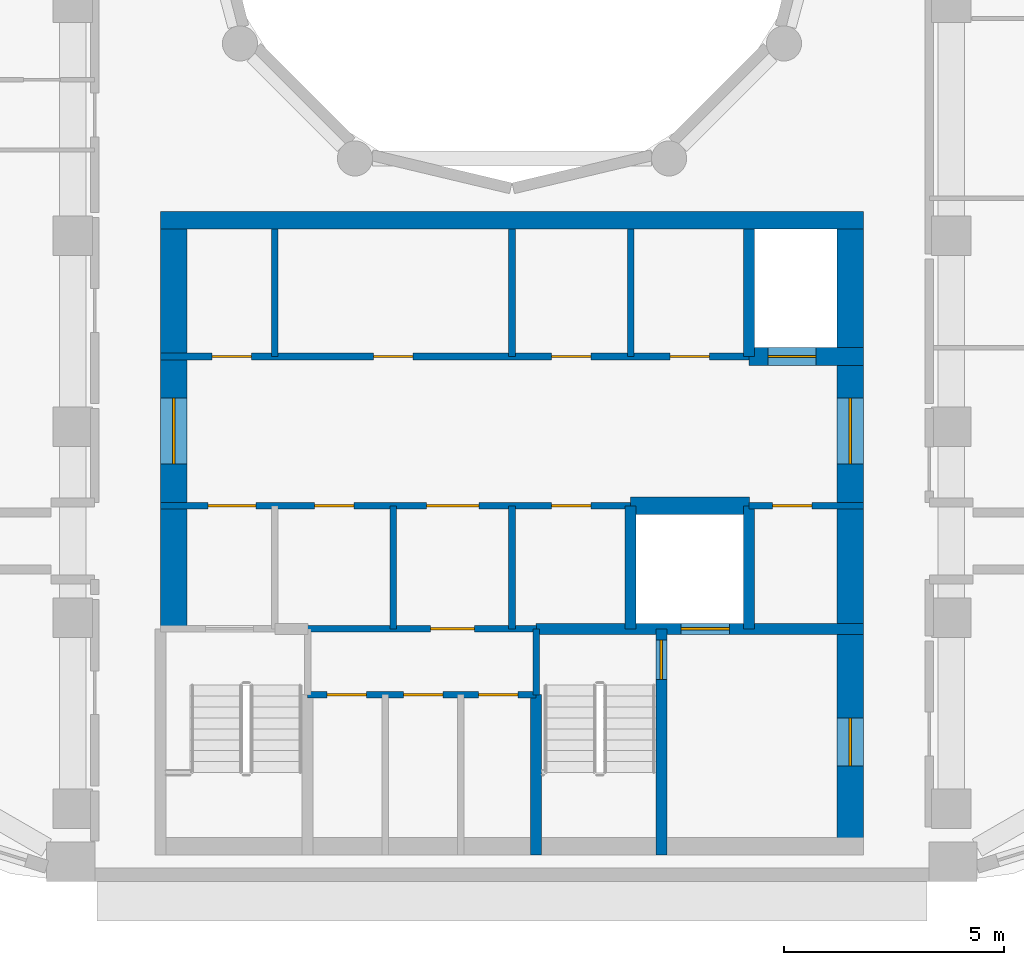
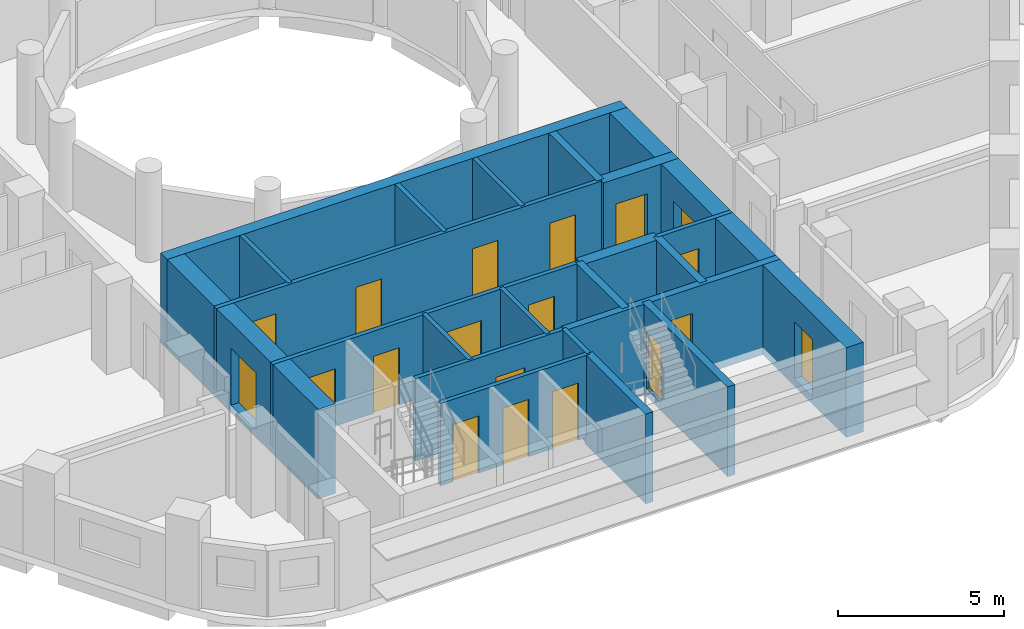
# One storey, part 3 of 12: 22 walls, 19 doors, 19 openings.
"""IFC4 building model written with IfcOpenShell, lengths in metres."""

from ifc_helpers import new_model, si_unit, direction, frame, frame_2d, origin, place, context, subcontext, project, spatial, rectangle, extrude, material, layer, layer_set, type_object, element, fill, save


model = new_model("IFC4")

# Units and contexts
model_context = context("Model", 3, precision=1e-05, world=origin(), true_north=direction((0.0, 1.0)))
body_context = subcontext(model_context, "Body", "Model", "MODEL_VIEW")
ifc_project = project(units=[si_unit("LENGTHUNIT", "METRE"), si_unit("AREAUNIT", "SQUARE_METRE"), si_unit("VOLUMEUNIT", "CUBIC_METRE"), si_unit("PLANEANGLEUNIT", "RADIAN"), si_unit("MASSUNIT", "GRAM", prefix="KILO")], contexts=[model_context])

# Site, building, storey
site_placement = place(None, origin())
site = spatial("IfcSite", under=ifc_project, at=site_placement, CompositionType="ELEMENT")
building_placement = place(site_placement, origin())
building = spatial("IfcBuilding", under=site, at=building_placement, Name="Nakaniwa Court", CompositionType="ELEMENT")
storey_placement = place(building_placement, frame((0.0, 0.0, 252.60009765625)))
storey = spatial("IfcBuildingStorey", under=building, at=storey_placement, Name="L66", CompositionType="ELEMENT", Elevation=252.60009765625)

# Wall
ifc_material_1 = material(Name="Blockwork partition", Category="masonry")
ifc_layer_1 = layer(ifc_material_1, 0.14990234375)
ifc_layer_set_1 = layer_set([ifc_layer_1], Name="Blockwork partition")
wall_type_1 = type_object("IfcWallType", Name="Blockwork partition 150", PredefinedType="PARTITIONING", material=ifc_layer_set_1)
wall_1_placement = place(storey_placement, frame((74.60009765625, 69.300048828125, 0.0), z_axis=(0.0, 0.0, 1.0), x_axis=(0.0, 1.0, 0.0)))
element("IfcWall", 1, at=wall_1_placement, inside=storey, type_object=wall_type_1, Name="Partition PW-031", PredefinedType="PARTITIONING", context=body_context, shape_type="SweptSolid", body=[
    extrude(rectangle(XDim=2.89990234375, YDim=0.14990234375, at=frame_2d((1.449951171875, 0.0))), origin(), (0.0, 0.0, 1.0), 3.02490234375),
])

# Wall, openings, doors
wall_2_placement = place(storey_placement, frame((72.0, 69.300048828125, 0.0), z_axis=(0.0, 0.0, 1.0), x_axis=(1.0, 0.0, 0.0)))
wall_2 = element("IfcWall", 2, at=wall_2_placement, inside=storey, type_object=wall_type_1, Name="Partition PW-032", PredefinedType="PARTITIONING", context=body_context, shape_type="SweptSolid", body=[
    extrude(rectangle(XDim=13.39990234375, YDim=0.14990234375, at=frame_2d((6.699951171875, 0.0))), origin(), (0.0, 0.0, 1.0), 3.02490234375),
])
opening_1_placement = place(wall_2_placement, frame((1.175048828125, 0.0, 0.0)))
opening_1 = element("IfcOpeningElement", 3, at=opening_1_placement, cuts=wall_2, Name="Opening D-05-11", PredefinedType="OPENING", context=body_context, shape_type="SweptSolid", body=[
    extrude(rectangle(XDim=0.89990234375, YDim=2.10009765625, at=frame_2d((0.449951171875, 1.050048828125))), frame((0.0, 0.0849609375, 0.0), z_axis=(0.0, -1.0, 0.0), x_axis=(1.0, 0.0, 0.0)), (0.0, 0.0, 1.0), 0.169921875),
])
opening_2_placement = place(wall_2_placement, frame((4.85009765625, 0.0, 0.0)))
opening_2 = element("IfcOpeningElement", 4, at=opening_2_placement, cuts=wall_2, Name="Opening D-05-12", PredefinedType="OPENING", context=body_context, shape_type="SweptSolid", body=[
    extrude(rectangle(XDim=0.89990234375, YDim=2.10009765625, at=frame_2d((0.449951171875, 1.050048828125))), frame((0.0, 0.0849609375, 0.0), z_axis=(0.0, -1.0, 0.0), x_axis=(1.0, 0.0, 0.0)), (0.0, 0.0, 1.0), 0.169921875),
])
opening_3_placement = place(wall_2_placement, frame((8.89990234375, 0.0, 0.0)))
opening_3 = element("IfcOpeningElement", 5, at=opening_3_placement, cuts=wall_2, Name="Opening D-05-13", PredefinedType="OPENING", context=body_context, shape_type="SweptSolid", body=[
    extrude(rectangle(XDim=0.89990234375, YDim=2.10009765625, at=frame_2d((0.449951171875, 1.050048828125))), frame((0.0, 0.0849609375, 0.0), z_axis=(0.0, -1.0, 0.0), x_axis=(1.0, 0.0, 0.0)), (0.0, 0.0, 1.0), 0.169921875),
])
opening_4_placement = place(wall_2_placement, frame((11.60009765625, 0.0, 0.0)))
opening_4 = element("IfcOpeningElement", 6, at=opening_4_placement, cuts=wall_2, Name="Opening D-05-14", PredefinedType="OPENING", context=body_context, shape_type="SweptSolid", body=[
    extrude(rectangle(XDim=0.89990234375, YDim=2.10009765625, at=frame_2d((0.449951171875, 1.050048828125))), frame((0.0, 0.0849609375, 0.0), z_axis=(0.0, -1.0, 0.0), x_axis=(1.0, 0.0, 0.0)), (0.0, 0.0, 1.0), 0.169921875),
])
ifc_material_2 = material(Name="Fire rated steel door set", Category="steel")
door_type_1 = type_object("IfcDoorType", Name="Service room door 900", OperationType="NOTDEFINED", PredefinedType="DOOR", material=ifc_material_2)
door_1_placement = place(opening_1_placement, origin())
door_1 = element("IfcDoor", 7, at=door_1_placement, inside=storey, type_object=door_type_1, Name="Door D-05-11 L66-016", OperationType="SINGLE_SWING_LEFT", OverallHeight=2.10009765625, OverallWidth=0.89990234375, PredefinedType="DOOR", context=body_context, shape_type="SweptSolid", body=[
    extrude(rectangle(XDim=0.89990234375, YDim=2.10009765625, at=frame_2d((0.449951171875, 1.050048828125))), frame((0.0, 0.02490234375, 0.0), z_axis=(0.0, -1.0, 0.0), x_axis=(1.0, 0.0, 0.0)), (0.0, 0.0, 1.0), 0.050048828125),
])
fill(opening_1, door_1)
door_2_placement = place(opening_2_placement, origin())
door_2 = element("IfcDoor", 8, at=door_2_placement, inside=storey, type_object=door_type_1, Name="Door D-05-12 L66-017", OperationType="SINGLE_SWING_RIGHT", OverallHeight=2.10009765625, OverallWidth=0.89990234375, PredefinedType="DOOR", context=body_context, shape_type="SweptSolid", body=[
    extrude(rectangle(XDim=0.89990234375, YDim=2.10009765625, at=frame_2d((0.449951171875, 1.050048828125))), frame((0.0, 0.02490234375, 0.0), z_axis=(0.0, -1.0, 0.0), x_axis=(1.0, 0.0, 0.0)), (0.0, 0.0, 1.0), 0.050048828125),
])
fill(opening_2, door_2)
door_3_placement = place(opening_3_placement, origin())
door_3 = element("IfcDoor", 9, at=door_3_placement, inside=storey, type_object=door_type_1, Name="Door D-05-13 L66-018", OperationType="SINGLE_SWING_LEFT", OverallHeight=2.10009765625, OverallWidth=0.89990234375, PredefinedType="DOOR", context=body_context, shape_type="SweptSolid", body=[
    extrude(rectangle(XDim=0.89990234375, YDim=2.10009765625, at=frame_2d((0.449951171875, 1.050048828125))), frame((0.0, 0.02490234375, 0.0), z_axis=(0.0, -1.0, 0.0), x_axis=(1.0, 0.0, 0.0)), (0.0, 0.0, 1.0), 0.050048828125),
])
fill(opening_3, door_3)
door_4_placement = place(opening_4_placement, origin())
door_4 = element("IfcDoor", 10, at=door_4_placement, inside=storey, type_object=door_type_1, Name="Door D-05-14 L66-019", OperationType="SINGLE_SWING_RIGHT", OverallHeight=2.10009765625, OverallWidth=0.89990234375, PredefinedType="DOOR", context=body_context, shape_type="SweptSolid", body=[
    extrude(rectangle(XDim=0.89990234375, YDim=2.10009765625, at=frame_2d((0.449951171875, 1.050048828125))), frame((0.0, 0.02490234375, 0.0), z_axis=(0.0, -1.0, 0.0), x_axis=(1.0, 0.0, 0.0)), (0.0, 0.0, 1.0), 0.050048828125),
])
fill(opening_4, door_4)

# Walls
wall_3_placement = place(storey_placement, frame((80.0, 63.10009765625, 0.0), z_axis=(0.0, 0.0, 1.0), x_axis=(0.0, 1.0, 0.0)))
element("IfcWall", 11, at=wall_3_placement, inside=storey, type_object=wall_type_1, Name="Partition PW-038", PredefinedType="PARTITIONING", context=body_context, shape_type="SweptSolid", body=[
    extrude(rectangle(XDim=2.7998046875, YDim=0.14990234375, at=frame_2d((1.39990234375, 0.0))), origin(), (0.0, 0.0, 1.0), 3.02490234375),
])
for number, where, z_axis, x_axis, name in (
    (12, (80.0, 69.300048828125, 0.0), (0.0, 0.0, 1.0), (0.0, 1.0, 0.0), "Partition PW-039"),
    (13, (82.699951171875, 69.300048828125, 0.0), (0.0, 0.0, 1.0), (0.0, 1.0, 0.0), "Partition PW-040"),
):
    element("IfcWall", number, at=place(storey_placement, frame(where, z_axis=z_axis, x_axis=x_axis)), inside=storey, type_object=wall_type_1, Name=name, PredefinedType="PARTITIONING", context=body_context, shape_type="SweptSolid", body=[
        extrude(rectangle(XDim=2.89990234375, YDim=0.14990234375, at=frame_2d((1.449951171875, 0.0))), origin(), (0.0, 0.0, 1.0), 3.02490234375),
    ])

# Wall, openings, doors
wall_4_placement = place(storey_placement, frame((82.702880859375, 65.89990234375, 0.0), z_axis=(0.0, 0.0, 1.0), x_axis=(-1.0, 0.0, 0.0)))
wall_4 = element("IfcWall", 14, at=wall_4_placement, inside=storey, type_object=wall_type_1, Name="Partition PW-041", PredefinedType="PARTITIONING", context=body_context, shape_type="SweptSolid", body=[
    extrude(rectangle(XDim=10.702880859375, YDim=0.14990234375, at=frame_2d((5.3515625, 0.0))), origin(), (0.0, 0.0, 1.0), 3.02490234375),
])
opening_5_placement = place(wall_4_placement, frame((8.528076171875, 0.0, 0.0)))
opening_5 = element("IfcOpeningElement", 15, at=opening_5_placement, cuts=wall_4, Name="Opening D-08-02", PredefinedType="OPENING", context=body_context, shape_type="SweptSolid", body=[
    extrude(rectangle(XDim=1.10009765625, YDim=2.10009765625, at=frame_2d((0.550048828125, 1.050048828125))), frame((0.0, 0.0849609375, 0.0), z_axis=(0.0, -1.0, 0.0), x_axis=(1.0, 0.0, 0.0)), (0.0, 0.0, 1.0), 0.169921875),
])
opening_6_placement = place(wall_4_placement, frame((6.302978515625, 0.0, 0.0)))
opening_6 = element("IfcOpeningElement", 16, at=opening_6_placement, cuts=wall_4, Name="Opening D-05-15", PredefinedType="OPENING", context=body_context, shape_type="SweptSolid", body=[
    extrude(rectangle(XDim=0.89990234375, YDim=2.10009765625, at=frame_2d((0.449951171875, 1.050048828125))), frame((0.0, 0.0849609375, 0.0), z_axis=(0.0, -1.0, 0.0), x_axis=(1.0, 0.0, 0.0)), (0.0, 0.0, 1.0), 0.169921875),
])
opening_7_placement = place(wall_4_placement, frame((3.452880859375, 0.0, 0.0)))
opening_7 = element("IfcOpeningElement", 17, at=opening_7_placement, cuts=wall_4, Name="Opening D-06-02", PredefinedType="OPENING", context=body_context, shape_type="SweptSolid", body=[
    extrude(rectangle(XDim=1.199951171875, YDim=2.10009765625, at=frame_2d((0.60009765625, 1.050048828125))), frame((0.0, 0.0849609375, 0.0), z_axis=(0.0, -1.0, 0.0), x_axis=(1.0, 0.0, 0.0)), (0.0, 0.0, 1.0), 0.169921875),
])
opening_8_placement = place(wall_4_placement, frame((0.903076171875, 0.0, 0.0)))
opening_8 = element("IfcOpeningElement", 18, at=opening_8_placement, cuts=wall_4, Name="Opening D-05-16", PredefinedType="OPENING", context=body_context, shape_type="SweptSolid", body=[
    extrude(rectangle(XDim=0.89990234375, YDim=2.10009765625, at=frame_2d((0.449951171875, 1.050048828125))), frame((0.0, 0.0849609375, 0.0), z_axis=(0.0, -1.0, 0.0), x_axis=(1.0, 0.0, 0.0)), (0.0, 0.0, 1.0), 0.169921875),
])
ifc_material_3 = material(Name="Fire rated steel double door set", Category="steel")
door_type_2 = type_object("IfcDoorType", Name="Service passage double door 1200", OperationType="NOTDEFINED", PredefinedType="DOOR", material=ifc_material_3)
door_5_placement = place(opening_7_placement, origin())
door_5 = element("IfcDoor", 19, at=door_5_placement, inside=storey, type_object=door_type_2, Name="Door D-06-02 L66-022", OperationType="DOUBLE_DOOR_SINGLE_SWING", OverallHeight=2.10009765625, OverallWidth=1.199951171875, PredefinedType="DOOR", context=body_context, shape_type="SweptSolid", body=[
    extrude(rectangle(XDim=1.199951171875, YDim=2.10009765625, at=frame_2d((0.60009765625, 1.050048828125))), frame((0.0, 0.02490234375, 0.0), z_axis=(0.0, -1.0, 0.0), x_axis=(1.0, 0.0, 0.0)), (0.0, 0.0, 1.0), 0.050048828125),
])
fill(opening_7, door_5)
door_6_placement = place(opening_6_placement, origin())
door_6 = element("IfcDoor", 20, at=door_6_placement, inside=storey, type_object=door_type_1, Name="Door D-05-15 L66-021", OperationType="SINGLE_SWING_RIGHT", OverallHeight=2.10009765625, OverallWidth=0.89990234375, PredefinedType="DOOR", context=body_context, shape_type="SweptSolid", body=[
    extrude(rectangle(XDim=0.89990234375, YDim=2.10009765625, at=frame_2d((0.449951171875, 1.050048828125))), frame((0.0, 0.02490234375, 0.0), z_axis=(0.0, -1.0, 0.0), x_axis=(1.0, 0.0, 0.0)), (0.0, 0.0, 1.0), 0.050048828125),
])
fill(opening_6, door_6)
door_7_placement = place(opening_8_placement, origin())
door_7 = element("IfcDoor", 21, at=door_7_placement, inside=storey, type_object=door_type_1, Name="Door D-05-16 L66-023", OperationType="SINGLE_SWING_RIGHT", OverallHeight=2.10009765625, OverallWidth=0.89990234375, PredefinedType="DOOR", context=body_context, shape_type="SweptSolid", body=[
    extrude(rectangle(XDim=0.89990234375, YDim=2.10009765625, at=frame_2d((0.449951171875, 1.050048828125))), frame((0.0, 0.02490234375, 0.0), z_axis=(0.0, -1.0, 0.0), x_axis=(1.0, 0.0, 0.0)), (0.0, 0.0, 1.0), 0.050048828125),
])
fill(opening_8, door_7)
door_type_3 = type_object("IfcDoorType", Name="Stair lobby door 1100", OperationType="NOTDEFINED", PredefinedType="DOOR", material=ifc_material_2)
door_8_placement = place(opening_5_placement, origin())
door_8 = element("IfcDoor", 22, at=door_8_placement, inside=storey, type_object=door_type_3, Name="Door D-08-02 L66-020", OperationType="SINGLE_SWING_LEFT", OverallHeight=2.10009765625, OverallWidth=1.10009765625, PredefinedType="DOOR", context=body_context, shape_type="SweptSolid", body=[
    extrude(rectangle(XDim=1.10009765625, YDim=2.10009765625, at=frame_2d((0.550048828125, 1.050048828125))), frame((0.0, 0.02490234375, 0.0), z_axis=(0.0, -1.0, 0.0), x_axis=(1.0, 0.0, 0.0)), (0.0, 0.0, 1.0), 0.050048828125),
])
fill(opening_5, door_8)

# Wall, opening, door
wall_5_placement = place(storey_placement, frame((88.0, 65.89990234375, 0.0), z_axis=(0.0, 0.0, 1.0), x_axis=(-1.0, 0.0, 0.0)))
wall_5 = element("IfcWall", 23, at=wall_5_placement, inside=storey, type_object=wall_type_1, Name="Partition PW-042", PredefinedType="PARTITIONING", context=body_context, shape_type="SweptSolid", body=[
    extrude(rectangle(XDim=2.60302734375, YDim=0.14990234375, at=frame_2d((1.301513671875, 0.0))), origin(), (0.0, 0.0, 1.0), 3.02490234375),
])
opening_9_placement = place(wall_5_placement, frame((1.175048828125, 0.0, 0.0)))
opening_9 = element("IfcOpeningElement", 24, at=opening_9_placement, cuts=wall_5, Name="Opening D-05-17", PredefinedType="OPENING", context=body_context, shape_type="SweptSolid", body=[
    extrude(rectangle(XDim=0.89990234375, YDim=2.10009765625, at=frame_2d((0.449951171875, 1.050048828125))), frame((0.0, 0.0849609375, 0.0), z_axis=(0.0, -1.0, 0.0), x_axis=(1.0, 0.0, 0.0)), (0.0, 0.0, 1.0), 0.169921875),
])
door_9_placement = place(opening_9_placement, origin())
door_9 = element("IfcDoor", 25, at=door_9_placement, inside=storey, type_object=door_type_1, Name="Door D-05-17 L66-024", OperationType="SINGLE_SWING_LEFT", OverallHeight=2.10009765625, OverallWidth=0.89990234375, PredefinedType="DOOR", context=body_context, shape_type="SweptSolid", body=[
    extrude(rectangle(XDim=0.89990234375, YDim=2.10009765625, at=frame_2d((0.449951171875, 1.050048828125))), frame((0.0, 0.02490234375, 0.0), z_axis=(0.0, -1.0, 0.0), x_axis=(1.0, 0.0, 0.0)), (0.0, 0.0, 1.0), 0.050048828125),
])
fill(opening_9, door_9)

# Wall
wall_6_placement = place(storey_placement, frame((77.300048828125, 63.10009765625, 0.0), z_axis=(0.0, 0.0, 1.0), x_axis=(0.0, 1.0, 0.0)))
element("IfcWall", 26, at=wall_6_placement, inside=storey, type_object=wall_type_1, Name="Partition PW-045", PredefinedType="PARTITIONING", context=body_context, shape_type="SweptSolid", body=[
    extrude(rectangle(XDim=2.7998046875, YDim=0.14990234375, at=frame_2d((1.39990234375, 0.0))), origin(), (0.0, 0.0, 1.0), 3.02490234375),
])

# Wall, opening, door
wall_7_placement = place(storey_placement, frame((80.552978515625, 63.10009765625, 0.0), z_axis=(0.0, 0.0, 1.0), x_axis=(-1.0, 0.0, 0.0)))
wall_7 = element("IfcWall", 27, at=wall_7_placement, inside=storey, type_object=wall_type_1, Name="Partition PW-048", PredefinedType="PARTITIONING", context=body_context, shape_type="SweptSolid", body=[
    extrude(rectangle(XDim=5.2060546875, YDim=0.14990234375, at=frame_2d((2.60302734375, 0.0))), origin(), (0.0, 0.0, 1.0), 3.02490234375),
])
opening_10_placement = place(wall_7_placement, frame((1.403076171875, 0.0, 0.0)))
opening_10 = element("IfcOpeningElement", 28, at=opening_10_placement, cuts=wall_7, Name="Opening D-23-02", PredefinedType="OPENING", context=body_context, shape_type="SweptSolid", body=[
    extrude(rectangle(XDim=1.0, YDim=2.10009765625, at=frame_2d((0.5, 1.050048828125))), frame((0.0, 0.0849609375, 0.0), z_axis=(0.0, -1.0, 0.0), x_axis=(1.0, 0.0, 0.0)), (0.0, 0.0, 1.0), 0.169921875),
])
door_type_4 = type_object("IfcDoorType", Name="Service room door 1000", OperationType="NOTDEFINED", PredefinedType="DOOR", material=ifc_material_2)
door_10_placement = place(opening_10_placement, origin())
door_10 = element("IfcDoor", 29, at=door_10_placement, inside=storey, type_object=door_type_4, Name="Door D-23-02 L66-025", OperationType="SINGLE_SWING_RIGHT", OverallHeight=2.10009765625, OverallWidth=1.0, PredefinedType="DOOR", context=body_context, shape_type="SweptSolid", body=[
    extrude(rectangle(XDim=1.0, YDim=2.10009765625, at=frame_2d((0.5, 1.050048828125))), frame((0.0, 0.02490234375, 0.0), z_axis=(0.0, -1.0, 0.0), x_axis=(1.0, 0.0, 0.0)), (0.0, 0.0, 1.0), 0.050048828125),
])
fill(opening_10, door_10)

# Wall, openings, doors
wall_8_placement = place(storey_placement, frame((80.550048828125, 61.60009765625, 0.0), z_axis=(0.0, 0.0, 1.0), x_axis=(-1.0, 0.0, 0.0)))
wall_8 = element("IfcWall", 30, at=wall_8_placement, inside=storey, type_object=wall_type_1, Name="Partition PW-056", PredefinedType="PARTITIONING", context=body_context, shape_type="SweptSolid", body=[
    extrude(rectangle(XDim=5.199951171875, YDim=0.14990234375, at=frame_2d((2.60009765625, 0.0))), origin(), (0.0, 0.0, 1.0), 3.02490234375),
])
opening_11_placement = place(wall_8_placement, frame((3.865966796875, 0.0, 0.0)))
opening_11 = element("IfcOpeningElement", 31, at=opening_11_placement, cuts=wall_8, Name="Opening D-05-18", PredefinedType="OPENING", context=body_context, shape_type="SweptSolid", body=[
    extrude(rectangle(XDim=0.89990234375, YDim=2.10009765625, at=frame_2d((0.449951171875, 1.050048828125))), frame((0.0, 0.0849609375, 0.0), z_axis=(0.0, -1.0, 0.0), x_axis=(1.0, 0.0, 0.0)), (0.0, 0.0, 1.0), 0.169921875),
])
opening_12_placement = place(wall_8_placement, frame((2.1240234375, 0.0, 0.0)))
opening_12 = element("IfcOpeningElement", 32, at=opening_12_placement, cuts=wall_8, Name="Opening D-05-19", PredefinedType="OPENING", context=body_context, shape_type="SweptSolid", body=[
    extrude(rectangle(XDim=0.89990234375, YDim=2.10009765625, at=frame_2d((0.449951171875, 1.050048828125))), frame((0.0, 0.0849609375, 0.0), z_axis=(0.0, -1.0, 0.0), x_axis=(1.0, 0.0, 0.0)), (0.0, 0.0, 1.0), 0.169921875),
])
opening_13_placement = place(wall_8_placement, frame((0.407958984375, 0.0, 0.0)))
opening_13 = element("IfcOpeningElement", 33, at=opening_13_placement, cuts=wall_8, Name="Opening D-05-20", PredefinedType="OPENING", context=body_context, shape_type="SweptSolid", body=[
    extrude(rectangle(XDim=0.89990234375, YDim=2.10009765625, at=frame_2d((0.449951171875, 1.050048828125))), frame((0.0, 0.0849609375, 0.0), z_axis=(0.0, -1.0, 0.0), x_axis=(1.0, 0.0, 0.0)), (0.0, 0.0, 1.0), 0.169921875),
])
door_11_placement = place(opening_11_placement, origin())
door_11 = element("IfcDoor", 34, at=door_11_placement, inside=storey, type_object=door_type_1, Name="Door D-05-18 L66-026", OperationType="SINGLE_SWING_LEFT", OverallHeight=2.10009765625, OverallWidth=0.89990234375, PredefinedType="DOOR", context=body_context, shape_type="SweptSolid", body=[
    extrude(rectangle(XDim=0.89990234375, YDim=2.10009765625, at=frame_2d((0.449951171875, 1.050048828125))), frame((0.0, 0.02490234375, 0.0), z_axis=(0.0, -1.0, 0.0), x_axis=(1.0, 0.0, 0.0)), (0.0, 0.0, 1.0), 0.050048828125),
])
fill(opening_11, door_11)
door_12_placement = place(opening_12_placement, origin())
door_12 = element("IfcDoor", 35, at=door_12_placement, inside=storey, type_object=door_type_1, Name="Door D-05-19 L66-027", OperationType="SINGLE_SWING_RIGHT", OverallHeight=2.10009765625, OverallWidth=0.89990234375, PredefinedType="DOOR", context=body_context, shape_type="SweptSolid", body=[
    extrude(rectangle(XDim=0.89990234375, YDim=2.10009765625, at=frame_2d((0.449951171875, 1.050048828125))), frame((0.0, 0.02490234375, 0.0), z_axis=(0.0, -1.0, 0.0), x_axis=(1.0, 0.0, 0.0)), (0.0, 0.0, 1.0), 0.050048828125),
])
fill(opening_12, door_12)
door_13_placement = place(opening_13_placement, origin())
door_13 = element("IfcDoor", 36, at=door_13_placement, inside=storey, type_object=door_type_1, Name="Door D-05-20 L66-028", OperationType="SINGLE_SWING_LEFT", OverallHeight=2.10009765625, OverallWidth=0.89990234375, PredefinedType="DOOR", context=body_context, shape_type="SweptSolid", body=[
    extrude(rectangle(XDim=0.89990234375, YDim=2.10009765625, at=frame_2d((0.449951171875, 1.050048828125))), frame((0.0, 0.02490234375, 0.0), z_axis=(0.0, -1.0, 0.0), x_axis=(1.0, 0.0, 0.0)), (0.0, 0.0, 1.0), 0.050048828125),
])
fill(opening_13, door_13)

# Wall, opening, door
ifc_material_4 = material(Name="Concrete C80/100", Category="concrete")
ifc_layer_2 = layer(ifc_material_4, 0.60009765625)
ifc_layer_set_2 = layer_set([ifc_layer_2], Name="Concrete C80/100")
wall_type_2 = type_object("IfcWallType", Name="Concrete core side wall 600 C80", PredefinedType="SHEAR", material=ifc_layer_set_2)
wall_9_placement = place(storey_placement, frame((72.300048828125, 63.10009765625, -0.275146484375), z_axis=(0.0, 0.0, 1.0), x_axis=(0.0, 1.0, 0.0)))
wall_9 = element("IfcWall", 37, at=wall_9_placement, inside=storey, type_object=wall_type_2, Name="Core wall SW-33", PredefinedType="SHEAR", context=body_context, shape_type="SweptSolid", body=[
    extrude(rectangle(XDim=9.099853515625, YDim=0.60009765625, at=frame_2d((4.5498046875, 0.0))), origin(), (0.0, 0.0, 1.0), 3.300048828125),
])
opening_14_placement = place(wall_9_placement, frame((3.75, 0.0, 0.27490234375)))
opening_14 = element("IfcOpeningElement", 38, at=opening_14_placement, cuts=wall_9, Name="Opening D-07-04", PredefinedType="OPENING", context=body_context, shape_type="SweptSolid", body=[
    extrude(rectangle(XDim=1.5, YDim=2.10009765625, at=frame_2d((0.75, 1.050048828125))), frame((0.0, 0.31005859375, 0.0), z_axis=(0.0, -1.0, 0.0), x_axis=(1.0, 0.0, 0.0)), (0.0, 0.0, 1.0), 0.6201171875),
])
ifc_material_5 = material(Name="Glazed fire rated steel double door set", Category="steel")
door_type_5 = type_object("IfcDoorType", Name="Lobby double door 1500", OperationType="NOTDEFINED", PredefinedType="DOOR", material=ifc_material_5)
door_14_placement = place(opening_14_placement, origin())
door_14 = element("IfcDoor", 39, at=door_14_placement, inside=storey, type_object=door_type_5, Name="Door D-07-04 L66-067", OperationType="DOUBLE_DOOR_SINGLE_SWING", OverallHeight=2.10009765625, OverallWidth=1.5, PredefinedType="DOOR", context=body_context, shape_type="SweptSolid", body=[
    extrude(rectangle(XDim=1.5, YDim=2.10009765625, at=frame_2d((0.75, 1.050048828125))), frame((0.0, 0.02490234375, 0.0), z_axis=(0.0, -1.0, 0.0), x_axis=(1.0, 0.0, 0.0)), (0.0, 0.0, 1.0), 0.050048828125),
])
fill(opening_14, door_14)

# Wall, openings, doors
wall_10_placement = place(storey_placement, frame((87.699951171875, 72.199951171875, -0.275146484375), z_axis=(0.0, 0.0, 1.0), x_axis=(0.0, -1.0, 0.0)))
wall_10 = element("IfcWall", 40, at=wall_10_placement, inside=storey, type_object=wall_type_2, Name="Core wall SW-37", PredefinedType="SHEAR", context=body_context, shape_type="SweptSolid", body=[
    extrude(rectangle(XDim=14.25, YDim=0.60009765625, at=frame_2d((7.125, 0.0))), origin(), (0.0, 0.0, 1.0), 3.300048828125),
])
opening_15_placement = place(wall_10_placement, frame((3.85009765625, 0.0, 0.27490234375)))
opening_15 = element("IfcOpeningElement", 41, at=opening_15_placement, cuts=wall_10, Name="Opening D-07-03", PredefinedType="OPENING", context=body_context, shape_type="SweptSolid", body=[
    extrude(rectangle(XDim=1.5, YDim=2.10009765625, at=frame_2d((0.75, 1.050048828125))), frame((0.0, 0.31005859375, 0.0), z_axis=(0.0, -1.0, 0.0), x_axis=(1.0, 0.0, 0.0)), (0.0, 0.0, 1.0), 0.6201171875),
])
opening_16_placement = place(wall_10_placement, frame((11.125, 0.0, 0.27490234375)))
opening_16 = element("IfcOpeningElement", 42, at=opening_16_placement, cuts=wall_10, Name="Opening D-10-02", PredefinedType="OPENING", context=body_context, shape_type="SweptSolid", body=[
    extrude(rectangle(XDim=1.10009765625, YDim=2.10009765625, at=frame_2d((0.550048828125, 1.050048828125))), frame((0.0, 0.31005859375, 0.0), z_axis=(0.0, -1.0, 0.0), x_axis=(1.0, 0.0, 0.0)), (0.0, 0.0, 1.0), 0.6201171875),
])
door_type_6 = type_object("IfcDoorType", Name="Firefighting lobby door 1100", OperationType="NOTDEFINED", PredefinedType="DOOR", material=ifc_material_2)
door_15_placement = place(opening_16_placement, origin())
door_15 = element("IfcDoor", 43, at=door_15_placement, inside=storey, type_object=door_type_6, Name="Door D-10-02 L66-068", OperationType="SINGLE_SWING_LEFT", OverallHeight=2.10009765625, OverallWidth=1.10009765625, PredefinedType="DOOR", context=body_context, shape_type="SweptSolid", body=[
    extrude(rectangle(XDim=1.10009765625, YDim=2.10009765625, at=frame_2d((0.550048828125, 1.050048828125))), frame((0.0, 0.02490234375, 0.0), z_axis=(0.0, -1.0, 0.0), x_axis=(1.0, 0.0, 0.0)), (0.0, 0.0, 1.0), 0.050048828125),
])
fill(opening_16, door_15)
door_16_placement = place(opening_15_placement, origin())
door_16 = element("IfcDoor", 44, at=door_16_placement, inside=storey, type_object=door_type_5, Name="Door D-07-03 L66-066", OperationType="DOUBLE_DOOR_SINGLE_SWING", OverallHeight=2.10009765625, OverallWidth=1.5, PredefinedType="DOOR", context=body_context, shape_type="SweptSolid", body=[
    extrude(rectangle(XDim=1.5, YDim=2.10009765625, at=frame_2d((0.75, 1.050048828125))), frame((0.0, 0.02490234375, 0.0), z_axis=(0.0, -1.0, 0.0), x_axis=(1.0, 0.0, 0.0)), (0.0, 0.0, 1.0), 0.050048828125),
])
fill(opening_15, door_16)

# Wall, opening, door
ifc_layer_3 = layer(ifc_material_4, 0.39990234375)
ifc_layer_set_3 = layer_set([ifc_layer_3], Name="Concrete C80/100")
wall_type_3 = type_object("IfcWallType", Name="Concrete core spine wall 400 C80", PredefinedType="SHEAR", material=ifc_layer_set_3)
wall_11_placement = place(storey_placement, frame((85.39990234375, 69.300048828125, -0.275146484375), z_axis=(0.0, 0.0, 1.0), x_axis=(1.0, 0.0, 0.0)))
wall_11 = element("IfcWall", 45, at=wall_11_placement, inside=storey, type_object=wall_type_3, Name="Core wall SW-36", PredefinedType="SHEAR", context=body_context, shape_type="SweptSolid", body=[
    extrude(rectangle(XDim=2.60009765625, YDim=0.39990234375, at=frame_2d((1.300048828125, 0.0))), origin(), (0.0, 0.0, 1.0), 3.300048828125),
])
opening_17_placement = place(wall_11_placement, frame((0.425048828125, 0.0, 0.27490234375)))
opening_17 = element("IfcOpeningElement", 46, at=opening_17_placement, cuts=wall_11, Name="Opening LD03", PredefinedType="OPENING", context=body_context, shape_type="SweptSolid", body=[
    extrude(rectangle(XDim=1.10009765625, YDim=2.10009765625, at=frame_2d((0.550048828125, 1.050048828125))), frame((0.0, 0.2099609375, 0.0), z_axis=(0.0, -1.0, 0.0), x_axis=(1.0, 0.0, 0.0)), (0.0, 0.0, 1.0), 0.419921875),
])
ifc_material_6 = material(Name="Stainless steel sliding lift landing door", Category="steel")
door_type_7 = type_object("IfcDoorType", Name="Lift landing door 1100", OperationType="NOTDEFINED", PredefinedType="DOOR", material=ifc_material_6)
door_17_placement = place(opening_17_placement, origin())
door_17 = element("IfcDoor", 47, at=door_17_placement, inside=storey, type_object=door_type_7, Name="Lift landing door LD03 L66-003", OperationType="SLIDING_TO_LEFT", OverallHeight=2.10009765625, OverallWidth=1.10009765625, PredefinedType="DOOR", context=body_context, shape_type="SweptSolid", body=[
    extrude(rectangle(XDim=1.10009765625, YDim=2.10009765625, at=frame_2d((0.550048828125, 1.050048828125))), frame((0.0, 0.02490234375, 0.0), z_axis=(0.0, -1.0, 0.0), x_axis=(1.0, 0.0, 0.0)), (0.0, 0.0, 1.0), 0.050048828125),
])
fill(opening_17, door_17)

# Walls
wall_12_placement = place(storey_placement, frame((82.697021484375, 65.89990234375, -0.275146484375), z_axis=(0.0, 0.0, 1.0), x_axis=(1.0, 0.0, 0.0)))
element("IfcWall", 48, at=wall_12_placement, inside=storey, type_object=wall_type_3, Name="Core wall SW-43", PredefinedType="SHEAR", context=body_context, shape_type="SweptSolid", body=[
    extrude(rectangle(XDim=2.7060546875, YDim=0.39990234375, at=frame_2d((1.35302734375, 0.0))), origin(), (0.0, 0.0, 1.0), 3.300048828125),
])
ifc_layer_4 = layer(ifc_material_4, 0.14990234375)
ifc_layer_set_4 = layer_set([ifc_layer_4], Name="Concrete C80/100")
wall_type_4 = type_object("IfcWallType", Name="Concrete core wall 150 C80", PredefinedType="SHEAR", material=ifc_layer_set_4)
wall_13_placement = place(storey_placement, frame((80.550048828125, 61.596923828125, -0.275146484375), z_axis=(0.0, 0.0, 1.0), x_axis=(0.0, 1.0, 0.0)))
element("IfcWall", 49, at=wall_13_placement, inside=storey, type_object=wall_type_4, Name="Core wall SW-54", PredefinedType="SHEAR", context=body_context, shape_type="SweptSolid", body=[
    extrude(rectangle(XDim=1.503173828125, YDim=0.14990234375, at=frame_2d((0.75146484375, 0.0))), origin(), (0.0, 0.0, 1.0), 3.300048828125),
])
ifc_layer_5 = layer(ifc_material_4, 0.39990234375)
ifc_layer_set_5 = layer_set([ifc_layer_5], Name="Concrete C80/100")
wall_type_5 = type_object("IfcWallType", Name="Concrete core well wall 400 C80", PredefinedType="SHEAR", material=ifc_layer_set_5)
wall_14_placement = place(storey_placement, frame((72.00390625, 72.39990234375, -0.275146484375), z_axis=(0.0, 0.0, 1.0), x_axis=(1.0, 0.0, 0.0)))
element("IfcWall", 50, at=wall_14_placement, inside=storey, type_object=wall_type_5, Name="Core wall SW-127", PredefinedType="SHEAR", context=body_context, shape_type="SweptSolid", body=[
    extrude(rectangle(XDim=15.9921875, YDim=0.39990234375, at=frame_2d((7.99609375, 0.0))), origin(), (0.0, 0.0, 1.0), 3.300048828125),
])
ifc_layer_6 = layer(ifc_material_4, 0.25)
ifc_layer_set_6 = layer_set([ifc_layer_6], Name="Concrete C80/100")
wall_type_6 = type_object("IfcWallType", Name="Concrete shaft wall 250 C80", PredefinedType="SHEAR", material=ifc_layer_set_6)
wall_15_placement = place(storey_placement, frame((85.39990234375, 63.10009765625, -0.275146484375), z_axis=(0.0, 0.0, 1.0), x_axis=(0.0, 1.0, 0.0)))
element("IfcWall", 51, at=wall_15_placement, inside=storey, type_object=wall_type_6, Name="Core wall SW-34", PredefinedType="SHEAR", context=body_context, shape_type="SweptSolid", body=[
    extrude(rectangle(XDim=2.7998046875, YDim=0.25, at=frame_2d((1.39990234375, 0.0))), origin(), (0.0, 0.0, 1.0), 3.300048828125),
])
wall_16_placement = place(storey_placement, frame((85.39990234375, 69.300048828125, -0.275146484375), z_axis=(0.0, 0.0, 1.0), x_axis=(0.0, 1.0, 0.0)))
element("IfcWall", 52, at=wall_16_placement, inside=storey, type_object=wall_type_6, Name="Core wall SW-35", PredefinedType="SHEAR", context=body_context, shape_type="SweptSolid", body=[
    extrude(rectangle(XDim=2.89990234375, YDim=0.25, at=frame_2d((1.449951171875, 0.0))), origin(), (0.0, 0.0, 1.0), 3.300048828125),
])

# Wall, opening, door
wall_17_placement = place(storey_placement, frame((80.547119140625, 63.10009765625, -0.275146484375), z_axis=(0.0, 0.0, 1.0), x_axis=(1.0, 0.0, 0.0)))
wall_17 = element("IfcWall", 53, at=wall_17_placement, inside=storey, type_object=wall_type_6, Name="Core wall SW-47", PredefinedType="SHEAR", context=body_context, shape_type="SweptSolid", body=[
    extrude(rectangle(XDim=7.452880859375, YDim=0.25, at=frame_2d((3.7265625, 0.0))), origin(), (0.0, 0.0, 1.0), 3.300048828125),
])
opening_18_placement = place(wall_17_placement, frame((3.302001953125, 0.0, 0.27490234375)))
opening_18 = element("IfcOpeningElement", 54, at=opening_18_placement, cuts=wall_17, Name="Opening LD04", PredefinedType="OPENING", context=body_context, shape_type="SweptSolid", body=[
    extrude(rectangle(XDim=1.10009765625, YDim=2.10009765625, at=frame_2d((0.550048828125, 1.050048828125))), frame((0.0, 0.135009765625, 0.0), z_axis=(0.0, -1.0, 0.0), x_axis=(1.0, 0.0, 0.0)), (0.0, 0.0, 1.0), 0.27001953125),
])
door_18_placement = place(opening_18_placement, origin())
door_18 = element("IfcDoor", 55, at=door_18_placement, inside=storey, type_object=door_type_7, Name="Lift landing door LD04 L66-004", OperationType="SLIDING_TO_LEFT", OverallHeight=2.10009765625, OverallWidth=1.10009765625, PredefinedType="DOOR", context=body_context, shape_type="SweptSolid", body=[
    extrude(rectangle(XDim=1.10009765625, YDim=2.10009765625, at=frame_2d((0.550048828125, 1.050048828125))), frame((0.0, 0.02490234375, 0.0), z_axis=(0.0, -1.0, 0.0), x_axis=(1.0, 0.0, 0.0)), (0.0, 0.0, 1.0), 0.050048828125),
])
fill(opening_18, door_18)

# Wall
wall_18_placement = place(storey_placement, frame((82.699951171875, 63.10009765625, -0.275146484375), z_axis=(0.0, 0.0, 1.0), x_axis=(0.0, 1.0, 0.0)))
element("IfcWall", 56, at=wall_18_placement, inside=storey, type_object=wall_type_6, Name="Core wall SW-49", PredefinedType="SHEAR", context=body_context, shape_type="SweptSolid", body=[
    extrude(rectangle(XDim=2.7998046875, YDim=0.25, at=frame_2d((1.39990234375, 0.0))), origin(), (0.0, 0.0, 1.0), 3.300048828125),
])

# Wall, opening, door
wall_19_placement = place(storey_placement, frame((83.39990234375, 63.10009765625, -0.275146484375), z_axis=(0.0, 0.0, 1.0), x_axis=(0.0, -1.0, 0.0)))
wall_19 = element("IfcWall", 57, at=wall_19_placement, inside=storey, type_object=wall_type_6, Name="Core wall SW-53", PredefinedType="SHEAR", context=body_context, shape_type="SweptSolid", body=[
    extrude(rectangle(XDim=5.150146484375, YDim=0.25, at=frame_2d((2.5751953125, 0.0))), origin(), (0.0, 0.0, 1.0), 3.300048828125),
])
opening_19_placement = place(wall_19_placement, frame((0.25, 0.0, 0.27490234375)))
opening_19 = element("IfcOpeningElement", 58, at=opening_19_placement, cuts=wall_19, Name="Opening D-11-02", PredefinedType="OPENING", context=body_context, shape_type="SweptSolid", body=[
    extrude(rectangle(XDim=0.89990234375, YDim=2.10009765625, at=frame_2d((0.449951171875, 1.050048828125))), frame((0.0, 0.135009765625, 0.0), z_axis=(0.0, -1.0, 0.0), x_axis=(1.0, 0.0, 0.0)), (0.0, 0.0, 1.0), 0.27001953125),
])
door_type_8 = type_object("IfcDoorType", Name="Stair door 900", OperationType="NOTDEFINED", PredefinedType="DOOR", material=ifc_material_2)
door_19_placement = place(opening_19_placement, origin())
door_19 = element("IfcDoor", 59, at=door_19_placement, inside=storey, type_object=door_type_8, Name="Door D-11-02 L66-030", OperationType="SINGLE_SWING_RIGHT", OverallHeight=2.10009765625, OverallWidth=0.89990234375, PredefinedType="DOOR", context=body_context, shape_type="SweptSolid", body=[
    extrude(rectangle(XDim=0.89990234375, YDim=2.10009765625, at=frame_2d((0.449951171875, 1.050048828125))), frame((0.0, 0.02490234375, 0.0), z_axis=(0.0, -1.0, 0.0), x_axis=(1.0, 0.0, 0.0)), (0.0, 0.0, 1.0), 0.050048828125),
])
fill(opening_19, door_19)

# Wall
wall_20_placement = place(storey_placement, frame((80.550048828125, 57.949951171875, -0.275146484375), z_axis=(0.0, 0.0, 1.0), x_axis=(0.0, 1.0, 0.0)))
element("IfcWall", 60, at=wall_20_placement, inside=storey, type_object=wall_type_6, Name="Core wall SW-55", PredefinedType="SHEAR", context=body_context, shape_type="SweptSolid", body=[
    extrude(rectangle(XDim=3.653076171875, YDim=0.25, at=frame_2d((1.82666015625, 0.0))), origin(), (0.0, 0.0, 1.0), 3.300048828125),
])

save(model, "model.ifc")
